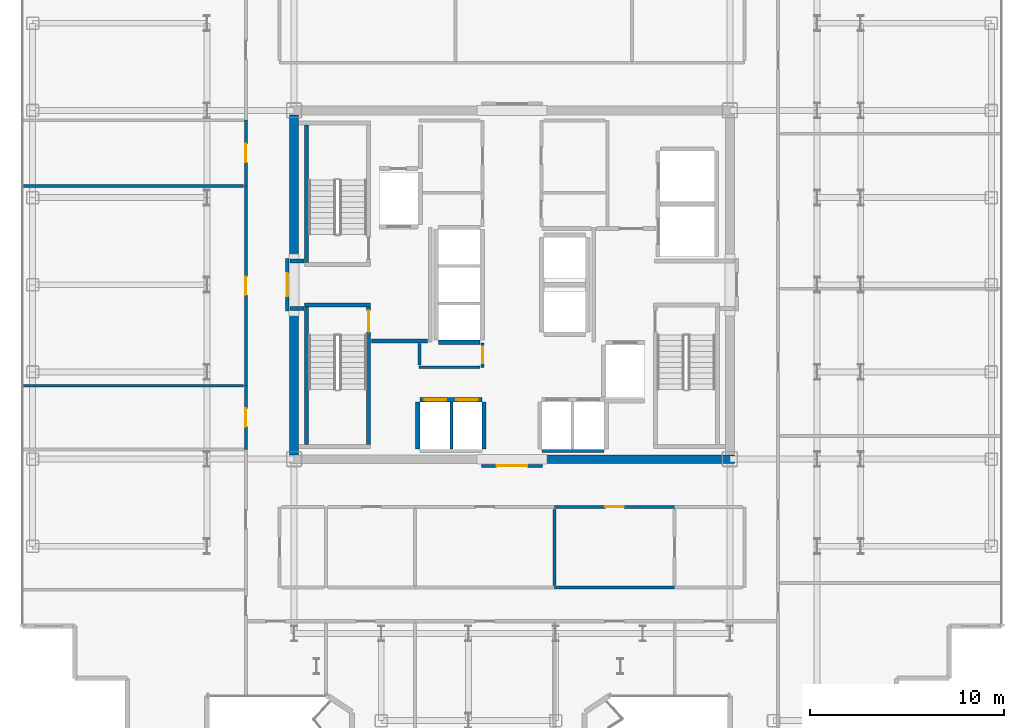
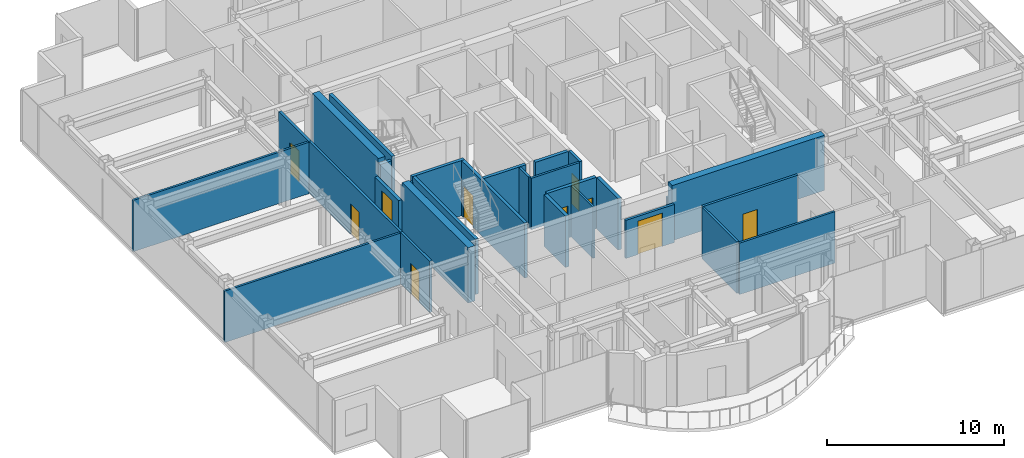
# One storey, part 15 of 21: 29 walls, 10 doors, 10 openings.
"""IFC4 building model written with IfcOpenShell, lengths in metres."""

from ifc_helpers import new_model, si_unit, direction, frame, frame_2d, origin, place, context, subcontext, project, spatial, rectangle, extrude, source, transform, mapped, material, layer, layer_set, type_object, element, fill, save


model = new_model("IFC4")

# Units and contexts
model_context = context("Model", 3, precision=1e-05, world=origin(), true_north=direction((0.0, 1.0)))
body_context = subcontext(model_context, "Body", "Model", "MODEL_VIEW")
ifc_project = project(units=[si_unit("LENGTHUNIT", "METRE"), si_unit("AREAUNIT", "SQUARE_METRE"), si_unit("VOLUMEUNIT", "CUBIC_METRE"), si_unit("PLANEANGLEUNIT", "RADIAN"), si_unit("MASSUNIT", "GRAM", prefix="KILO")], contexts=[model_context])

# Site, building, storey
site_placement = place(None, origin())
site = spatial("IfcSite", under=ifc_project, at=site_placement, CompositionType="ELEMENT")
building_placement = place(site_placement, origin())
building = spatial("IfcBuilding", under=site, at=building_placement, Name="Nefas-Gora Pilgrimage Tower", CompositionType="ELEMENT")
storey_placement = place(building_placement, frame((0.0, 0.0, 233.199951171875)))
storey = spatial("IfcBuildingStorey", under=building, at=storey_placement, Name="L58", CompositionType="ELEMENT", Elevation=233.199951171875)

# Walls
ifc_material_1 = material(Name="Concrete C50/60", Category="concrete")
ifc_layer_1 = layer(ifc_material_1, 0.449951171875)
ifc_layer_set_1 = layer_set([ifc_layer_1], Name="Concrete C50/60")
wall_type_1 = type_object("IfcWallType", Name="SW-CORE-450", PredefinedType="SHEAR", material=ifc_layer_set_1)
shared_shape_1 = source(origin(), body_context, "Body", "SweptSolid", [
    extrude(rectangle(XDim=9.925048828125, YDim=0.449951171875, at=frame_2d((4.96240234375, 0.0))), origin(), (0.0, 0.0, 1.0), 3.800048828125),
])
wall_1_placement = place(storey_placement, frame((1.550048828125, -9.0, 0.0), z_axis=(0.0, 0.0, 1.0), x_axis=(1.0, 0.0, 0.0)))
element("IfcWall", 1, at=wall_1_placement, inside=storey, type_object=wall_type_1, Name="L58 Core Shear Wall S-East", PredefinedType="SHEAR", context=body_context, shape_type="MappedRepresentation", body=[
    mapped(shared_shape_1, transform((0.0, 0.0, 0.0), x_axis=(1.0, 0.0, 0.0), y_axis=(0.0, 1.0, 0.0), z_axis=(0.0, 0.0, 1.0), scale=1.0)),
])
shared_shape_2 = source(origin(), body_context, "Body", "SweptSolid", [
    extrude(rectangle(XDim=7.4248046875, YDim=0.449951171875, at=frame_2d((3.71240234375, 0.0))), origin(), (0.0, 0.0, 1.0), 3.800048828125),
])
for number, where, z_axis, x_axis, name in (
    (2, (-11.25, -8.77490234375, 0.0), (0.0, 0.0, 1.0), (0.0, 1.0, 0.0), "L58 Core Shear Wall W-South"),
    (3, (-11.25, 1.35009765625, 0.0), (0.0, 0.0, 1.0), (0.0, 1.0, 0.0), "L58 Core Shear Wall W-North"),
):
    element("IfcWall", number, at=place(storey_placement, frame(where, z_axis=z_axis, x_axis=x_axis)), inside=storey, type_object=wall_type_1, Name=name, PredefinedType="SHEAR", context=body_context, shape_type="MappedRepresentation", body=[
        mapped(shared_shape_2, transform((0.0, 0.0, 0.0), x_axis=(1.0, 0.0, 0.0), y_axis=(0.0, 1.0, 0.0), z_axis=(0.0, 0.0, 1.0), scale=1.0)),
    ])
ifc_material_2 = material(Name="Concrete C45/55", Category="concrete")
ifc_layer_2 = layer(ifc_material_2, 0.199951171875)
ifc_layer_set_2 = layer_set([ifc_layer_2], Name="Concrete C45/55")
wall_type_2 = type_object("IfcWallType", Name="IW-STAIR-200", PredefinedType="SOLIDWALL", material=ifc_layer_set_2)
shared_shape_3 = source(origin(), body_context, "Body", "SweptSolid", [
    extrude(rectangle(XDim=3.39990234375, YDim=0.199951171875, at=frame_2d((1.699951171875, 0.0))), origin(), (0.0, 0.0, 1.0), 3.800048828125),
])
wall_2_placement = place(storey_placement, frame((-10.699951171875, -1.050048828125, 0.0), z_axis=(0.0, 0.0, 1.0), x_axis=(1.0, 0.0, 0.0)))
element("IfcWall", 4, at=wall_2_placement, inside=storey, type_object=wall_type_2, Name="L58 Stairwell Shear Wall ST-03-near", PredefinedType="SOLIDWALL", context=body_context, shape_type="MappedRepresentation", body=[
    mapped(shared_shape_3, transform((0.0, 0.0, 0.0), x_axis=(1.0, 0.0, 0.0), y_axis=(0.0, 1.0, 0.0), z_axis=(0.0, 0.0, 1.0), scale=1.0)),
])
shared_shape_4 = source(origin(), body_context, "Body", "SweptSolid", [
    extrude(rectangle(XDim=7.10009765625, YDim=0.199951171875, at=frame_2d((3.550048828125, 0.0))), origin(), (0.0, 0.0, 1.0), 3.800048828125),
])
for number, where, z_axis, x_axis, name in (
    (5, (-10.60009765625, 1.14990234375, 0.0), (0.0, 0.0, 1.0), (0.0, 1.0, 0.0), "L58 Stairwell Shear Wall ST-01-right"),
    (6, (-10.60009765625, -1.14990234375, 0.0), (0.0, 0.0, 1.0), (0.0, -1.0, 0.0), "L58 Stairwell Shear Wall ST-03-left"),
):
    element("IfcWall", number, at=place(storey_placement, frame(where, z_axis=z_axis, x_axis=x_axis)), inside=storey, type_object=wall_type_2, Name=name, PredefinedType="SOLIDWALL", context=body_context, shape_type="MappedRepresentation", body=[
        mapped(shared_shape_4, transform((0.0, 0.0, 0.0), x_axis=(1.0, 0.0, 0.0), y_axis=(0.0, 1.0, 0.0), z_axis=(0.0, 0.0, 1.0), scale=1.0)),
    ])

# Wall, opening, door
wall_3_placement = place(storey_placement, frame((-7.39990234375, -1.14990234375, 0.0), z_axis=(0.0, 0.0, 1.0), x_axis=(0.0, -1.0, 0.0)))
wall_3 = element("IfcWall", 7, at=wall_3_placement, inside=storey, type_object=wall_type_2, Name="L58 Stairwell Shear Wall ST-03-right", PredefinedType="SOLIDWALL", context=body_context, shape_type="MappedRepresentation", body=[
    mapped(shared_shape_4, transform((0.0, 0.0, 0.0), x_axis=(1.0, 0.0, 0.0), y_axis=(0.0, 1.0, 0.0), z_axis=(0.0, 0.0, 1.0), scale=1.0)),
])
opening_1_placement = place(wall_3_placement, frame((0.179931640625, 0.0, 0.0)))
opening_1 = element("IfcOpeningElement", 8, at=opening_1_placement, cuts=wall_3, Name="Opening ID-ST1", PredefinedType="OPENING", context=body_context, shape_type="SweptSolid", body=[
    extrude(rectangle(XDim=1.10009765625, YDim=2.14990234375, at=frame_2d((0.550048828125, 1.074951171875))), frame((0.0, 0.10986328125, 0.0), z_axis=(0.0, -1.0, 0.0), x_axis=(1.0, 0.0, 0.0)), (0.0, 0.0, 1.0), 0.219970703125),
])
ifc_material_3 = material(Name="Painted galvanised steel fire stair door", Category="steel")
door_type_1 = type_object("IfcDoorType", Name="DR-INT-STAIR-1100", OperationType="NOTDEFINED", PredefinedType="DOOR", material=ifc_material_3)
shared_shape_5 = source(origin(), body_context, "Body", "SweptSolid", [
    extrude(rectangle(XDim=1.10009765625, YDim=2.14990234375, at=frame_2d((0.550048828125, 1.074951171875))), frame((0.0, 0.02490234375, 0.0), z_axis=(0.0, -1.0, 0.0), x_axis=(1.0, 0.0, 0.0)), (0.0, 0.0, 1.0), 0.050048828125),
])
door_1_placement = place(opening_1_placement, origin())
door_1 = element("IfcDoor", 9, at=door_1_placement, inside=storey, type_object=door_type_1, Name="L58 Protected Exit Stair Door ST-03", OperationType="SINGLE_SWING_RIGHT", OverallHeight=2.14990234375, OverallWidth=1.10009765625, PredefinedType="DOOR", context=body_context, shape_type="MappedRepresentation", body=[
    mapped(shared_shape_5, transform((0.0, 0.0, 0.0), x_axis=(1.0, 0.0, 0.0), y_axis=(0.0, 1.0, 0.0), z_axis=(0.0, 0.0, 1.0), scale=1.0)),
])
fill(opening_1, door_1)

# Wall, openings, doors
ifc_material_4 = material(Name="Concrete C40/50", Category="concrete")
ifc_layer_3 = layer(ifc_material_4, 0.219970703125)
ifc_layer_set_3 = layer_set([ifc_layer_3], Name="Concrete C40/50")
wall_type_3 = type_object("IfcWallType", Name="IW-SHAFT-220", PredefinedType="SOLIDWALL", material=ifc_layer_set_3)
shared_shape_6 = source(origin(), body_context, "Body", "SweptSolid", [
    extrude(rectangle(XDim=3.199951171875, YDim=0.219970703125, at=frame_2d((1.60009765625, 0.0))), origin(), (0.0, 0.0, 1.0), 3.53515625),
])
wall_4_placement = place(storey_placement, frame((-1.550048828125, -5.93994140625, 0.0), z_axis=(0.0, 0.0, 1.0), x_axis=(-1.0, 0.0, 0.0)))
wall_4 = element("IfcWall", 10, at=wall_4_placement, inside=storey, type_object=wall_type_3, Name="L58 Hoistway Wall PL2-W-N", PredefinedType="SOLIDWALL", context=body_context, shape_type="MappedRepresentation", body=[
    mapped(shared_shape_6, transform((0.0, 0.0, 0.0), x_axis=(1.0, 0.0, 0.0), y_axis=(0.0, 1.0, 0.0), z_axis=(0.0, 0.0, 1.0), scale=1.0)),
])
opening_2_placement = place(wall_4_placement, frame((1.85009765625, 0.0, 0.0)))
opening_2 = element("IfcOpeningElement", 11, at=opening_2_placement, cuts=wall_4, Name="Opening LD-01", PredefinedType="OPENING", context=body_context, shape_type="SweptSolid", body=[
    extrude(rectangle(XDim=1.10009765625, YDim=2.199951171875, at=frame_2d((0.550048828125, 1.10009765625))), frame((0.0, 0.119873046875, 0.0), z_axis=(0.0, -1.0, 0.0), x_axis=(1.0, 0.0, 0.0)), (0.0, 0.0, 1.0), 0.239990234375),
])
opening_3_placement = place(wall_4_placement, frame((0.22509765625, 0.0, 0.0)))
opening_3 = element("IfcOpeningElement", 12, at=opening_3_placement, cuts=wall_4, Name="Opening LD-01", PredefinedType="OPENING", context=body_context, shape_type="SweptSolid", body=[
    extrude(rectangle(XDim=1.10009765625, YDim=2.199951171875, at=frame_2d((0.550048828125, 1.10009765625))), frame((0.0, 0.119873046875, 0.0), z_axis=(0.0, -1.0, 0.0), x_axis=(1.0, 0.0, 0.0)), (0.0, 0.0, 1.0), 0.239990234375),
])
ifc_material_5 = material(Name="Brushed stainless sliding lift landing door")
door_type_2 = type_object("IfcDoorType", Name="DR-LIFT-PASS-1100", OperationType="DOUBLE_DOOR_SLIDING", PredefinedType="DOOR", material=ifc_material_5)
shared_shape_7 = source(origin(), body_context, "Body", "SweptSolid", [
    extrude(rectangle(XDim=1.10009765625, YDim=2.199951171875, at=frame_2d((0.550048828125, 1.10009765625))), frame((0.0, 0.02490234375, 0.0), z_axis=(0.0, -1.0, 0.0), x_axis=(1.0, 0.0, 0.0)), (0.0, 0.0, 1.0), 0.050048828125),
])
door_2_placement = place(opening_2_placement, origin())
door_2 = element("IfcDoor", 13, at=door_2_placement, inside=storey, type_object=door_type_2, Name="L58 Sliding Lift Landing Door PL2-01", OperationType="DOUBLE_DOOR_SLIDING", OverallHeight=2.199951171875, OverallWidth=1.10009765625, PredefinedType="DOOR", context=body_context, shape_type="MappedRepresentation", body=[
    mapped(shared_shape_7, transform((0.0, 0.0, 0.0), x_axis=(1.0, 0.0, 0.0), y_axis=(0.0, 1.0, 0.0), z_axis=(0.0, 0.0, 1.0), scale=1.0)),
])
fill(opening_2, door_2)
door_3_placement = place(opening_3_placement, origin())
door_3 = element("IfcDoor", 14, at=door_3_placement, inside=storey, type_object=door_type_2, Name="L58 Sliding Lift Landing Door PL2-02", OperationType="DOUBLE_DOOR_SLIDING", OverallHeight=2.199951171875, OverallWidth=1.10009765625, PredefinedType="DOOR", context=body_context, shape_type="MappedRepresentation", body=[
    mapped(shared_shape_7, transform((0.0, 0.0, 0.0), x_axis=(1.0, 0.0, 0.0), y_axis=(0.0, 1.0, 0.0), z_axis=(0.0, 0.0, 1.0), scale=1.0)),
])
fill(opening_3, door_3)

# Walls
shared_shape_8 = source(origin(), body_context, "Body", "SweptSolid", [
    extrude(rectangle(XDim=2.429931640625, YDim=0.219970703125, at=frame_2d((1.21484375, 0.0))), origin(), (0.0, 0.0, 1.0), 3.53515625),
])
for number, where, z_axis, x_axis, name in (
    (15, (-4.860107421875, -6.06005859375, 0.0), (0.0, 0.0, 1.0), (0.0, -1.0, 0.0), "L58 Hoistway Wall PL2-W-W"),
    (16, (-1.43994140625, -8.489990234375, 0.0), (0.0, 0.0, 1.0), (0.0, 1.0, 0.0), "L58 Hoistway Wall PL2-W-E"),
):
    element("IfcWall", number, at=place(storey_placement, frame(where, z_axis=z_axis, x_axis=x_axis)), inside=storey, type_object=wall_type_3, Name=name, PredefinedType="SOLIDWALL", context=body_context, shape_type="MappedRepresentation", body=[
        mapped(shared_shape_8, transform((0.0, 0.0, 0.0), x_axis=(1.0, 0.0, 0.0), y_axis=(0.0, 1.0, 0.0), z_axis=(0.0, 0.0, 1.0), scale=1.0)),
    ])
ifc_material_6 = material(Name="Gypsum twin-stud partition")
ifc_layer_4 = layer(ifc_material_6, 0.139892578125)
ifc_layer_set_4 = layer_set([ifc_layer_4], Name="Gypsum twin-stud partition")
wall_type_4 = type_object("IfcWallType", Name="IW-UNIT-140", PredefinedType="PARTITIONING", material=ifc_layer_set_4)
shared_shape_9 = source(origin(), body_context, "Body", "SweptSolid", [
    extrude(rectangle(XDim=2.429931640625, YDim=0.139892578125, at=frame_2d((1.21484375, 0.0))), origin(), (0.0, 0.0, 1.0), 3.53515625),
])
wall_5_placement = place(storey_placement, frame((-3.125, -8.489990234375, 0.0), z_axis=(0.0, 0.0, 1.0), x_axis=(0.0, 1.0, 0.0)))
element("IfcWall", 17, at=wall_5_placement, inside=storey, type_object=wall_type_4, Name="L58 Hoistway Wall PL2-W-DIV", PredefinedType="PARTITIONING", context=body_context, shape_type="MappedRepresentation", body=[
    mapped(shared_shape_9, transform((0.0, 0.0, 0.0), x_axis=(1.0, 0.0, 0.0), y_axis=(0.0, 1.0, 0.0), z_axis=(0.0, 0.0, 1.0), scale=1.0)),
])
shared_shape_10 = source(origin(), body_context, "Body", "SweptSolid", [
    extrude(rectangle(XDim=2.130126953125, YDim=0.219970703125, at=frame_2d((1.06494140625, 0.0))), origin(), (0.0, 0.0, 1.0), 3.53515625),
])
wall_6_placement = place(storey_placement, frame((-3.7900390625, -2.9599609375, 0.0), z_axis=(0.0, 0.0, 1.0), x_axis=(1.0, 0.0, 0.0)))
element("IfcWall", 18, at=wall_6_placement, inside=storey, type_object=wall_type_3, Name="L58 Hoistway Wall PL3-01-S", PredefinedType="SOLIDWALL", context=body_context, shape_type="MappedRepresentation", body=[
    mapped(shared_shape_10, transform((0.0, 0.0, 0.0), x_axis=(1.0, 0.0, 0.0), y_axis=(0.0, 1.0, 0.0), z_axis=(0.0, 0.0, 1.0), scale=1.0)),
])
ifc_material_7 = material(Name="Gypsum acoustic stud partition")
ifc_layer_5 = layer(ifc_material_7, 0.159912109375)
ifc_layer_set_5 = layer_set([ifc_layer_5], Name="Gypsum acoustic stud partition")
wall_type_5 = type_object("IfcWallType", Name="IW-CORR-160", PredefinedType="PARTITIONING", material=ifc_layer_set_5)
shared_shape_11 = source(origin(), body_context, "Body", "SweptSolid", [
    extrude(rectangle(XDim=3.199951171875, YDim=0.159912109375, at=frame_2d((1.60009765625, 0.0))), origin(), (0.0, 0.0, 1.0), 2.625),
])
wall_7_placement = place(storey_placement, frame((1.550048828125, -8.580078125, 0.0), z_axis=(0.0, 0.0, 1.0), x_axis=(1.0, 0.0, 0.0)))
element("IfcWall", 19, at=wall_7_placement, inside=storey, type_object=wall_type_5, Name="L58 Hoistway Wall PL2-E-S", PredefinedType="PARTITIONING", context=body_context, shape_type="MappedRepresentation", body=[
    mapped(shared_shape_11, transform((0.0, 0.0, 0.0), x_axis=(1.0, 0.0, 0.0), y_axis=(0.0, 1.0, 0.0), z_axis=(0.0, 0.0, 1.0), scale=1.0)),
])
ifc_material_8 = material(Name="Gypsum fire-rated shaftwall")
ifc_layer_6 = layer(ifc_material_8, 0.199951171875)
ifc_layer_set_6 = layer_set([ifc_layer_6], Name="Gypsum fire-rated shaftwall")
wall_type_6 = type_object("IfcWallType", Name="IW-FFLOB-200", PredefinedType="PARTITIONING", material=ifc_layer_set_6)
shared_shape_12 = source(origin(), body_context, "Body", "SweptSolid", [
    extrude(rectangle(XDim=2.89990234375, YDim=0.199951171875, at=frame_2d((1.449951171875, 0.0))), origin(), (0.0, 0.0, 1.0), 3.53515625),
])
wall_8_placement = place(storey_placement, frame((-7.260009765625, -2.89990234375, 0.0), z_axis=(0.0, 0.0, 1.0), x_axis=(1.0, 0.0, 0.0)))
element("IfcWall", 20, at=wall_8_placement, inside=storey, type_object=wall_type_6, Name="L58 FF Lobby West South Wall Wall 6", PredefinedType="PARTITIONING", context=body_context, shape_type="MappedRepresentation", body=[
    mapped(shared_shape_12, transform((0.0, 0.0, 0.0), x_axis=(1.0, 0.0, 0.0), y_axis=(0.0, 1.0, 0.0), z_axis=(0.0, 0.0, 1.0), scale=1.0)),
])
shared_shape_13 = source(origin(), body_context, "Body", "SweptSolid", [
    extrude(rectangle(XDim=0.719970703125, YDim=0.199951171875, at=frame_2d((0.35986328125, 0.0))), origin(), (0.0, 0.0, 1.0), 3.53515625),
])
for number, where, z_axis, x_axis, name in (
    (21, (-11.4599609375, 1.219970703125, 0.0), (0.0, 0.0, 1.0), (1.0, 0.0, 0.0), "L58 FF Lobby West Throat N Wall 7"),
    (22, (-11.4599609375, -1.219970703125, 0.0), (0.0, 0.0, 1.0), (1.0, 0.0, 0.0), "L58 FF Lobby West Throat S Wall 8"),
):
    element("IfcWall", number, at=place(storey_placement, frame(where, z_axis=z_axis, x_axis=x_axis)), inside=storey, type_object=wall_type_6, Name=name, PredefinedType="PARTITIONING", context=body_context, shape_type="MappedRepresentation", body=[
        mapped(shared_shape_13, transform((0.0, 0.0, 0.0), x_axis=(1.0, 0.0, 0.0), y_axis=(0.0, 1.0, 0.0), z_axis=(0.0, 0.0, 1.0), scale=1.0)),
    ])
shared_shape_14 = source(origin(), body_context, "Body", "SweptSolid", [
    extrude(rectangle(XDim=3.150146484375, YDim=0.139892578125, at=frame_2d((1.5751953125, 0.0))), origin(), (0.0, 0.0, 1.0), 3.53515625),
])
wall_9_placement = place(storey_placement, frame((-4.7900390625, -4.25, 0.0), z_axis=(0.0, 0.0, 1.0), x_axis=(1.0, 0.0, 0.0)))
element("IfcWall", 23, at=wall_9_placement, inside=storey, type_object=wall_type_4, Name="L58 Guest Self-Service Laundry Room Partition Wall 27", PredefinedType="PARTITIONING", context=body_context, shape_type="MappedRepresentation", body=[
    mapped(shared_shape_14, transform((0.0, 0.0, 0.0), x_axis=(1.0, 0.0, 0.0), y_axis=(0.0, 1.0, 0.0), z_axis=(0.0, 0.0, 1.0), scale=1.0)),
])

# Wall, opening, door
shared_shape_15 = source(origin(), body_context, "Body", "SweptSolid", [
    extrude(rectangle(XDim=3.409912109375, YDim=0.159912109375, at=frame_2d((1.705078125, 0.0))), origin(), (0.0, 0.0, 1.0), 3.53515625),
])
wall_10_placement = place(storey_placement, frame((-13.739990234375, 5.094970703125, 0.0), z_axis=(0.0, 0.0, 1.0), x_axis=(0.0, 1.0, 0.0)))
wall_10 = element("IfcWall", 24, at=wall_10_placement, inside=storey, type_object=wall_type_5, Name="L58 Scripture Reading Study Partition Wall 40", PredefinedType="PARTITIONING", context=body_context, shape_type="MappedRepresentation", body=[
    mapped(shared_shape_15, transform((0.0, 0.0, 0.0), x_axis=(1.0, 0.0, 0.0), y_axis=(0.0, 1.0, 0.0), z_axis=(0.0, 0.0, 1.0), scale=1.0)),
])
opening_4_placement = place(wall_10_placement, frame((1.22998046875, 0.0, 0.0)))
opening_4 = element("IfcOpeningElement", 25, at=opening_4_placement, cuts=wall_10, Name="Opening ID-GR1", PredefinedType="OPENING", context=body_context, shape_type="SweptSolid", body=[
    extrude(rectangle(XDim=0.949951171875, YDim=2.10009765625, at=frame_2d((0.47509765625, 1.050048828125))), frame((0.0, 0.08984375, 0.0), z_axis=(0.0, -1.0, 0.0), x_axis=(1.0, 0.0, 0.0)), (0.0, 0.0, 1.0), 0.179931640625),
])
ifc_material_9 = material(Name="Solid core oak fire-rated guest entrance door")
door_type_3 = type_object("IfcDoorType", Name="DR-INT-GUEST-950", OperationType="NOTDEFINED", PredefinedType="DOOR", material=ifc_material_9)
shared_shape_16 = source(origin(), body_context, "Body", "SweptSolid", [
    extrude(rectangle(XDim=0.949951171875, YDim=2.10009765625, at=frame_2d((0.47509765625, 1.050048828125))), frame((0.0, 0.02490234375, 0.0), z_axis=(0.0, -1.0, 0.0), x_axis=(1.0, 0.0, 0.0)), (0.0, 0.0, 1.0), 0.050048828125),
])
door_4_placement = place(opening_4_placement, origin())
door_4 = element("IfcDoor", 26, at=door_4_placement, inside=storey, type_object=door_type_3, Name="L58 Scripture Reading Study Door 17", OperationType="SINGLE_SWING_LEFT", OverallHeight=2.10009765625, OverallWidth=0.949951171875, PredefinedType="DOOR", context=body_context, shape_type="MappedRepresentation", body=[
    mapped(shared_shape_16, transform((0.0, 0.0, 0.0), x_axis=(1.0, 0.0, 0.0), y_axis=(0.0, 1.0, 0.0), z_axis=(0.0, 0.0, 1.0), scale=1.0)),
])
fill(opening_4, door_4)

shared_shape_17 = source(origin(), body_context, "Body", "SweptSolid", [
    extrude(rectangle(XDim=1.25, YDim=0.159912109375, at=frame_2d((0.625, 0.0))), origin(), (0.0, 0.0, 1.0), 3.53515625),
])
wall_11_placement = place(storey_placement, frame((-1.52001953125, -4.260009765625, 0.0), z_axis=(0.0, 0.0, 1.0), x_axis=(0.0, 1.0, 0.0)))
wall_11 = element("IfcWall", 27, at=wall_11_placement, inside=storey, type_object=wall_type_5, Name="L58 Guest Self-Service Laundry Room Wall 26", PredefinedType="PARTITIONING", context=body_context, shape_type="MappedRepresentation", body=[
    mapped(shared_shape_17, transform((0.0, 0.0, 0.0), x_axis=(1.0, 0.0, 0.0), y_axis=(0.0, 1.0, 0.0), z_axis=(0.0, 0.0, 1.0), scale=1.0)),
])
opening_5_placement = place(wall_11_placement, frame((0.199951171875, 0.0, 0.0)))
opening_5 = element("IfcOpeningElement", 28, at=opening_5_placement, cuts=wall_11, Name="Opening ID-BT1", PredefinedType="OPENING", context=body_context, shape_type="SweptSolid", body=[
    extrude(rectangle(XDim=0.85009765625, YDim=2.10009765625, at=frame_2d((0.425048828125, 1.050048828125))), frame((0.0, 0.08984375, 0.0), z_axis=(0.0, -1.0, 0.0), x_axis=(1.0, 0.0, 0.0)), (0.0, 0.0, 1.0), 0.179931640625),
])
ifc_material_10 = material(Name="Moisture-resistant fire-rated timber door", Category="wood")
door_type_4 = type_object("IfcDoorType", Name="DR-INT-BATH-850", OperationType="NOTDEFINED", PredefinedType="DOOR", material=ifc_material_10)
shared_shape_18 = source(origin(), body_context, "Body", "SweptSolid", [
    extrude(rectangle(XDim=0.85009765625, YDim=2.10009765625, at=frame_2d((0.425048828125, 1.050048828125))), frame((0.0, 0.02490234375, 0.0), z_axis=(0.0, -1.0, 0.0), x_axis=(1.0, 0.0, 0.0)), (0.0, 0.0, 1.0), 0.050048828125),
])
door_5_placement = place(opening_5_placement, origin())
door_5 = element("IfcDoor", 29, at=door_5_placement, inside=storey, type_object=door_type_4, Name="L58 Guest Self-Service Laundry Room Door 11", OperationType="SINGLE_SWING_LEFT", OverallHeight=2.10009765625, OverallWidth=0.85009765625, PredefinedType="DOOR", context=body_context, shape_type="MappedRepresentation", body=[
    mapped(shared_shape_18, transform((0.0, 0.0, 0.0), x_axis=(1.0, 0.0, 0.0), y_axis=(0.0, 1.0, 0.0), z_axis=(0.0, 0.0, 1.0), scale=1.0)),
])
fill(opening_5, door_5)

shared_shape_19 = source(origin(), body_context, "Body", "SweptSolid", [
    extrude(rectangle(XDim=3.309814453125, YDim=0.159912109375, at=frame_2d((1.65478515625, 0.0))), origin(), (0.0, 0.0, 1.0), 3.53515625),
])
wall_12_placement = place(storey_placement, frame((-13.739990234375, -8.5048828125, 0.0), z_axis=(0.0, 0.0, 1.0), x_axis=(0.0, 1.0, 0.0)))
wall_12 = element("IfcWall", 30, at=wall_12_placement, inside=storey, type_object=wall_type_5, Name="L58 Pastoral Chaplains Counselling Office Partition Wall 36", PredefinedType="PARTITIONING", context=body_context, shape_type="MappedRepresentation", body=[
    mapped(shared_shape_19, transform((0.0, 0.0, 0.0), x_axis=(1.0, 0.0, 0.0), y_axis=(0.0, 1.0, 0.0), z_axis=(0.0, 0.0, 1.0), scale=1.0)),
])
opening_6_placement = place(wall_12_placement, frame((1.179931640625, 0.0, 0.0)))
opening_6 = element("IfcOpeningElement", 31, at=opening_6_placement, cuts=wall_12, Name="Opening ID-GR1", PredefinedType="OPENING", context=body_context, shape_type="SweptSolid", body=[
    extrude(rectangle(XDim=0.949951171875, YDim=2.10009765625, at=frame_2d((0.47509765625, 1.050048828125))), frame((0.0, 0.08984375, 0.0), z_axis=(0.0, -1.0, 0.0), x_axis=(1.0, 0.0, 0.0)), (0.0, 0.0, 1.0), 0.179931640625),
])
door_6_placement = place(opening_6_placement, origin())
door_6 = element("IfcDoor", 32, at=door_6_placement, inside=storey, type_object=door_type_3, Name="L58 Pastoral Chaplains Counselling Office Door 15", OperationType="SINGLE_SWING_LEFT", OverallHeight=2.10009765625, OverallWidth=0.949951171875, PredefinedType="DOOR", context=body_context, shape_type="MappedRepresentation", body=[
    mapped(shared_shape_16, transform((0.0, 0.0, 0.0), x_axis=(1.0, 0.0, 0.0), y_axis=(0.0, 1.0, 0.0), z_axis=(0.0, 0.0, 1.0), scale=1.0)),
])
fill(opening_6, door_6)

shared_shape_20 = source(origin(), body_context, "Body", "SweptSolid", [
    extrude(rectangle(XDim=6.2099609375, YDim=0.159912109375, at=frame_2d((3.10498046875, 0.0))), origin(), (0.0, 0.0, 1.0), 3.53515625),
])
wall_13_placement = place(storey_placement, frame((2.195068359375, -11.469970703125, 0.0), z_axis=(0.0, 0.0, 1.0), x_axis=(1.0, 0.0, 0.0)))
wall_13 = element("IfcWall", 33, at=wall_13_placement, inside=storey, type_object=wall_type_5, Name="L58 Pilgrim Contemplative Lounge Partition Wall 90", PredefinedType="PARTITIONING", context=body_context, shape_type="MappedRepresentation", body=[
    mapped(shared_shape_20, transform((0.0, 0.0, 0.0), x_axis=(1.0, 0.0, 0.0), y_axis=(0.0, 1.0, 0.0), z_axis=(0.0, 0.0, 1.0), scale=1.0)),
])
opening_7_placement = place(wall_13_placement, frame((2.6298828125, 0.0, 0.0)))
opening_7 = element("IfcOpeningElement", 34, at=opening_7_placement, cuts=wall_13, Name="Opening ID-GR1", PredefinedType="OPENING", context=body_context, shape_type="SweptSolid", body=[
    extrude(rectangle(XDim=0.949951171875, YDim=2.10009765625, at=frame_2d((0.47509765625, 1.050048828125))), frame((0.0, 0.08984375, 0.0), z_axis=(0.0, -1.0, 0.0), x_axis=(1.0, 0.0, 0.0)), (0.0, 0.0, 1.0), 0.179931640625),
])
door_7_placement = place(opening_7_placement, origin())
door_7 = element("IfcDoor", 35, at=door_7_placement, inside=storey, type_object=door_type_3, Name="L58 Pilgrim Contemplative Lounge Door 40", OperationType="SINGLE_SWING_RIGHT", OverallHeight=2.10009765625, OverallWidth=0.949951171875, PredefinedType="DOOR", context=body_context, shape_type="MappedRepresentation", body=[
    mapped(shared_shape_16, transform((0.0, 0.0, 0.0), x_axis=(1.0, 0.0, 0.0), y_axis=(0.0, 1.0, 0.0), z_axis=(0.0, 0.0, 1.0), scale=1.0)),
])
fill(opening_7, door_7)

# Walls
shared_shape_21 = source(origin(), body_context, "Body", "SweptSolid", [
    extrude(rectangle(XDim=1.099853515625, YDim=0.139892578125, at=frame_2d((0.5498046875, 0.0))), origin(), (0.0, 0.0, 1.0), 3.53515625),
])
wall_14_placement = place(storey_placement, frame((-4.780029296875, -4.139892578125, 0.0), z_axis=(0.0, 0.0, 1.0), x_axis=(0.0, 1.0, 0.0)))
element("IfcWall", 36, at=wall_14_placement, inside=storey, type_object=wall_type_4, Name="L58 Guest Self-Service Laundry Room Partition Wall 28", PredefinedType="PARTITIONING", context=body_context, shape_type="MappedRepresentation", body=[
    mapped(shared_shape_21, transform((0.0, 0.0, 0.0), x_axis=(1.0, 0.0, 0.0), y_axis=(0.0, 1.0, 0.0), z_axis=(0.0, 0.0, 1.0), scale=1.0)),
])
shared_shape_22 = source(origin(), body_context, "Body", "SweptSolid", [
    extrude(rectangle(XDim=11.429931640625, YDim=0.139892578125, at=frame_2d((5.71484375, 0.0))), origin(), (0.0, 0.0, 1.0), 3.53515625),
])
for number, where, z_axis, x_axis, name in (
    (37, (-25.2900390625, -5.205078125, 0.0), (0.0, 0.0, 1.0), (1.0, 0.0, 0.0), "L58 Pastoral Chaplains Counselling Office Partition Wall 37"),
    (38, (-25.2900390625, 5.094970703125, 0.0), (0.0, 0.0, 1.0), (1.0, 0.0, 0.0), "L58 Pilgrim Devotional Prayer Gallery Partition Wall 39"),
):
    element("IfcWall", number, at=place(storey_placement, frame(where, z_axis=z_axis, x_axis=x_axis)), inside=storey, type_object=wall_type_4, Name=name, PredefinedType="PARTITIONING", context=body_context, shape_type="MappedRepresentation", body=[
        mapped(shared_shape_22, transform((0.0, 0.0, 0.0), x_axis=(1.0, 0.0, 0.0), y_axis=(0.0, 1.0, 0.0), z_axis=(0.0, 0.0, 1.0), scale=1.0)),
    ])
shared_shape_23 = source(origin(), body_context, "Body", "SweptSolid", [
    extrude(rectangle(XDim=3.929931640625, YDim=0.139892578125, at=frame_2d((1.96484375, 0.0))), origin(), (0.0, 0.0, 1.0), 3.53515625),
])
wall_15_placement = place(storey_placement, frame((2.195068359375, -15.52001953125, 0.0), z_axis=(0.0, 0.0, 1.0), x_axis=(0.0, 1.0, 0.0)))
element("IfcWall", 39, at=wall_15_placement, inside=storey, type_object=wall_type_4, Name="L58 Pilgrim Contemplative Lounge Partition Wall 87", PredefinedType="PARTITIONING", context=body_context, shape_type="MappedRepresentation", body=[
    mapped(shared_shape_23, transform((0.0, 0.0, 0.0), x_axis=(1.0, 0.0, 0.0), y_axis=(0.0, 1.0, 0.0), z_axis=(0.0, 0.0, 1.0), scale=1.0)),
])

# Wall, opening, door
shared_shape_24 = source(origin(), body_context, "Body", "SweptSolid", [
    extrude(rectangle(XDim=2.7001953125, YDim=0.199951171875, at=frame_2d((1.35009765625, 0.0))), origin(), (0.0, 0.0, 1.0), 2.625),
])
wall_16_placement = place(storey_placement, frame((-11.60009765625, -1.35009765625, 0.0), z_axis=(0.0, 0.0, 1.0), x_axis=(0.0, 1.0, 0.0)))
wall_16 = element("IfcWall", 40, at=wall_16_placement, inside=storey, type_object=wall_type_6, Name="L58 FF Lobby West Portal Wall 4", PredefinedType="PARTITIONING", context=body_context, shape_type="MappedRepresentation", body=[
    mapped(shared_shape_24, transform((0.0, 0.0, 0.0), x_axis=(1.0, 0.0, 0.0), y_axis=(0.0, 1.0, 0.0), z_axis=(0.0, 0.0, 1.0), scale=1.0)),
])
opening_8_placement = place(wall_16_placement, frame((0.75, 0.0, 0.0)))
opening_8 = element("IfcOpeningElement", 41, at=opening_8_placement, cuts=wall_16, Name="Opening ID-FF1", PredefinedType="OPENING", context=body_context, shape_type="SweptSolid", body=[
    extrude(rectangle(XDim=1.199951171875, YDim=2.14990234375, at=frame_2d((0.60009765625, 1.074951171875))), frame((0.0, 0.10986328125, 0.0), z_axis=(0.0, -1.0, 0.0), x_axis=(1.0, 0.0, 0.0)), (0.0, 0.0, 1.0), 0.219970703125),
])
ifc_material_11 = material(Name="Smoke-sealed steel firefighting lobby door", Category="steel")
door_type_5 = type_object("IfcDoorType", Name="DR-INT-FFLOB-1200", OperationType="NOTDEFINED", PredefinedType="DOOR", material=ifc_material_11)
shared_shape_25 = source(origin(), body_context, "Body", "SweptSolid", [
    extrude(rectangle(XDim=1.199951171875, YDim=2.14990234375, at=frame_2d((0.60009765625, 1.074951171875))), frame((0.0, 0.02490234375, 0.0), z_axis=(0.0, -1.0, 0.0), x_axis=(1.0, 0.0, 0.0)), (0.0, 0.0, 1.0), 0.050048828125),
])
door_8_placement = place(opening_8_placement, origin())
door_8 = element("IfcDoor", 42, at=door_8_placement, inside=storey, type_object=door_type_5, Name="L58 FF Lobby West Portal Door 2", OperationType="SINGLE_SWING_RIGHT", OverallHeight=2.14990234375, OverallWidth=1.199951171875, PredefinedType="DOOR", context=body_context, shape_type="MappedRepresentation", body=[
    mapped(shared_shape_25, transform((0.0, 0.0, 0.0), x_axis=(1.0, 0.0, 0.0), y_axis=(0.0, 1.0, 0.0), z_axis=(0.0, 0.0, 1.0), scale=1.0)),
])
fill(opening_8, door_8)

shared_shape_26 = source(origin(), body_context, "Body", "SweptSolid", [
    extrude(rectangle(XDim=3.16015625, YDim=0.159912109375, at=frame_2d((1.580078125, 0.0))), origin(), (0.0, 0.0, 1.0), 2.625),
])
wall_17_placement = place(storey_placement, frame((-1.580078125, -9.35009765625, 0.0), z_axis=(0.0, 0.0, 1.0), x_axis=(1.0, 0.0, 0.0)))
wall_17 = element("IfcWall", 43, at=wall_17_placement, inside=storey, type_object=wall_type_5, Name="L58 Central Lift Lobby South Portal Wall 16", PredefinedType="PARTITIONING", context=body_context, shape_type="MappedRepresentation", body=[
    mapped(shared_shape_26, transform((0.0, 0.0, 0.0), x_axis=(1.0, 0.0, 0.0), y_axis=(0.0, 1.0, 0.0), z_axis=(0.0, 0.0, 1.0), scale=1.0)),
])
opening_9_placement = place(wall_17_placement, frame((0.780029296875, 0.0, 0.0)))
opening_9 = element("IfcOpeningElement", 44, at=opening_9_placement, cuts=wall_17, Name="Opening ID-HL1", PredefinedType="OPENING", context=body_context, shape_type="SweptSolid", body=[
    extrude(rectangle(XDim=1.60009765625, YDim=2.300048828125, at=frame_2d((0.800048828125, 1.14990234375))), frame((0.0, 0.08984375, 0.0), z_axis=(0.0, -1.0, 0.0), x_axis=(1.0, 0.0, 0.0)), (0.0, 0.0, 1.0), 0.179931640625),
])
ifc_material_12 = material(Name="Double acoustic timber assembly hall door", Category="wood")
door_type_6 = type_object("IfcDoorType", Name="DR-INT-HALL-1600", OperationType="DOUBLE_DOOR_SINGLE_SWING", PredefinedType="DOOR", material=ifc_material_12)
shared_shape_27 = source(origin(), body_context, "Body", "SweptSolid", [
    extrude(rectangle(XDim=1.60009765625, YDim=2.300048828125, at=frame_2d((0.800048828125, 1.14990234375))), frame((0.0, 0.02490234375, 0.0), z_axis=(0.0, -1.0, 0.0), x_axis=(1.0, 0.0, 0.0)), (0.0, 0.0, 1.0), 0.050048828125),
])
door_9_placement = place(opening_9_placement, origin())
door_9 = element("IfcDoor", 45, at=door_9_placement, inside=storey, type_object=door_type_6, Name="L58 Central Lift Lobby South Portal Door 6", OperationType="DOUBLE_DOOR_SINGLE_SWING", OverallHeight=2.300048828125, OverallWidth=1.60009765625, PredefinedType="DOOR", context=body_context, shape_type="MappedRepresentation", body=[
    mapped(shared_shape_27, transform((0.0, 0.0, 0.0), x_axis=(1.0, 0.0, 0.0), y_axis=(0.0, 1.0, 0.0), z_axis=(0.0, 0.0, 1.0), scale=1.0)),
])
fill(opening_9, door_9)

shared_shape_28 = source(origin(), body_context, "Body", "SweptSolid", [
    extrude(rectangle(XDim=10.31005859375, YDim=0.159912109375, at=frame_2d((5.155029296875, 0.0))), origin(), (0.0, 0.0, 1.0), 3.53515625),
])
wall_18_placement = place(storey_placement, frame((-13.739990234375, -5.205078125, 0.0), z_axis=(0.0, 0.0, 1.0), x_axis=(0.0, 1.0, 0.0)))
wall_18 = element("IfcWall", 46, at=wall_18_placement, inside=storey, type_object=wall_type_5, Name="L58 Pilgrim Devotional Prayer Gallery Partition Wall 38", PredefinedType="PARTITIONING", context=body_context, shape_type="MappedRepresentation", body=[
    mapped(shared_shape_28, transform((0.0, 0.0, 0.0), x_axis=(1.0, 0.0, 0.0), y_axis=(0.0, 1.0, 0.0), z_axis=(0.0, 0.0, 1.0), scale=1.0)),
])
opening_10_placement = place(wall_18_placement, frame((4.679931640625, 0.0, 0.0)))
opening_10 = element("IfcOpeningElement", 47, at=opening_10_placement, cuts=wall_18, Name="Opening ID-GR1", PredefinedType="OPENING", context=body_context, shape_type="SweptSolid", body=[
    extrude(rectangle(XDim=0.949951171875, YDim=2.10009765625, at=frame_2d((0.47509765625, 1.050048828125))), frame((0.0, 0.08984375, 0.0), z_axis=(0.0, -1.0, 0.0), x_axis=(1.0, 0.0, 0.0)), (0.0, 0.0, 1.0), 0.179931640625),
])
door_10_placement = place(opening_10_placement, origin())
door_10 = element("IfcDoor", 48, at=door_10_placement, inside=storey, type_object=door_type_3, Name="L58 Pilgrim Devotional Prayer Gallery Door 16", OperationType="SINGLE_SWING_RIGHT", OverallHeight=2.10009765625, OverallWidth=0.949951171875, PredefinedType="DOOR", context=body_context, shape_type="MappedRepresentation", body=[
    mapped(shared_shape_16, transform((0.0, 0.0, 0.0), x_axis=(1.0, 0.0, 0.0), y_axis=(0.0, 1.0, 0.0), z_axis=(0.0, 0.0, 1.0), scale=1.0)),
])
fill(opening_10, door_10)

# Wall
shared_shape_29 = source(origin(), body_context, "Body", "SweptSolid", [
    extrude(rectangle(XDim=6.2099609375, YDim=0.139892578125, at=frame_2d((3.10498046875, 0.0))), origin(), (0.0, 0.0, 1.0), 3.53515625),
])
wall_19_placement = place(storey_placement, frame((2.195068359375, -15.6298828125, 0.0), z_axis=(0.0, 0.0, 1.0), x_axis=(1.0, 0.0, 0.0)))
element("IfcWall", 49, at=wall_19_placement, inside=storey, type_object=wall_type_4, Name="L58 Pilgrim Contemplative Lounge Partition Wall 91", PredefinedType="PARTITIONING", context=body_context, shape_type="MappedRepresentation", body=[
    mapped(shared_shape_29, transform((0.0, 0.0, 0.0), x_axis=(1.0, 0.0, 0.0), y_axis=(0.0, 1.0, 0.0), z_axis=(0.0, 0.0, 1.0), scale=1.0)),
])

save(model, "model.ifc")
